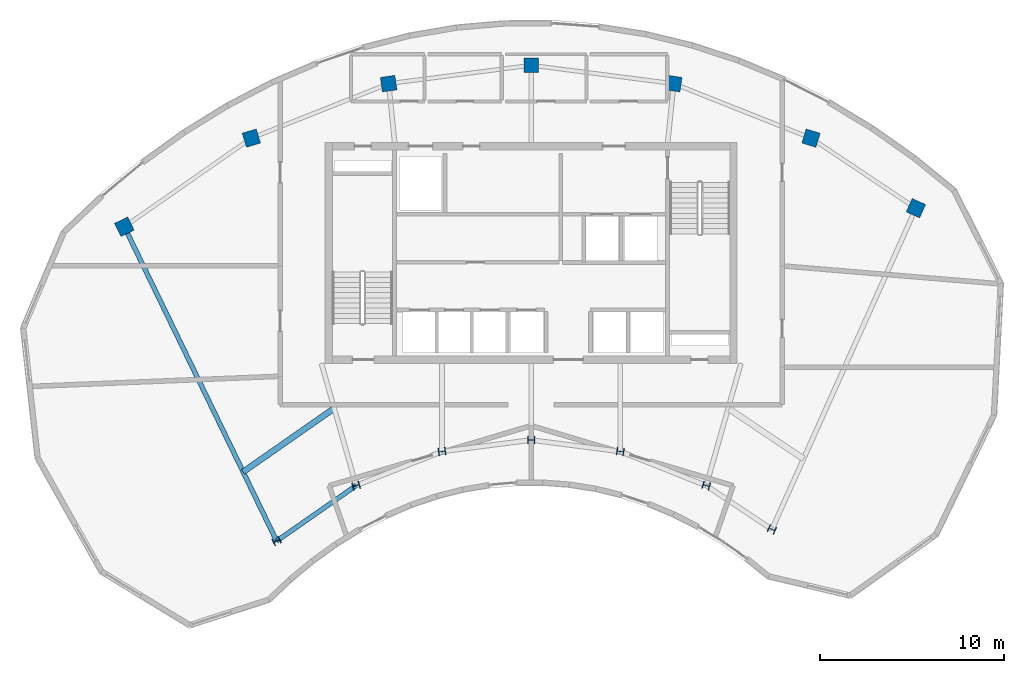
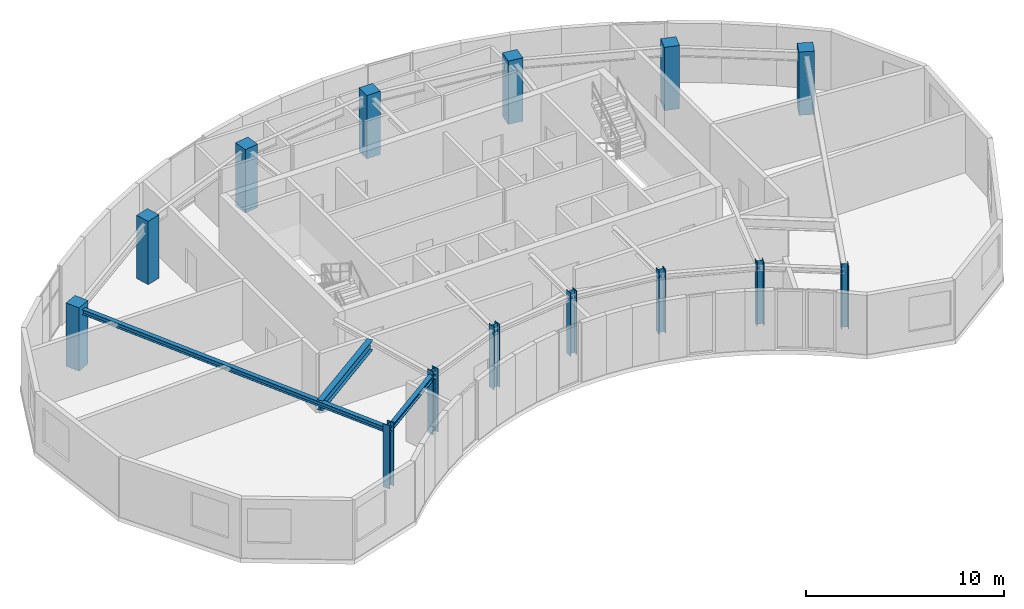
# One storey, part 1 of 9: 14 columns, 3 beams.
"""IFC4 building model written with IfcOpenShell, lengths in metres."""

from ifc_helpers import new_model, si_unit, direction, frame, origin, origin_2d, place, context, subcontext, project, spatial, rectangle, i_section, extrude, source, transform, mapped, material, material_profile, profile_set, type_object, type_shapes, element, save


model = new_model("IFC4")

# Units and contexts
model_context = context("Model", 3, precision=1e-05, world=origin(), true_north=direction((0.0, 1.0)))
body_context = subcontext(model_context, "Body", "Model", "MODEL_VIEW")
ifc_project = project(units=[si_unit("LENGTHUNIT", "METRE"), si_unit("AREAUNIT", "SQUARE_METRE"), si_unit("VOLUMEUNIT", "CUBIC_METRE"), si_unit("PLANEANGLEUNIT", "RADIAN"), si_unit("MASSUNIT", "GRAM", prefix="KILO")], contexts=[model_context])

# Site, building, storey
site_placement = place(None, origin())
site = spatial("IfcSite", under=ifc_project, at=site_placement, CompositionType="ELEMENT")
building_placement = place(site_placement, origin())
building = spatial("IfcBuilding", under=site, at=building_placement, Name="Breltana Convention Tower", CompositionType="ELEMENT")
storey_placement = place(building_placement, frame((0.0, 0.0, 291.300048828125)))
storey = spatial("IfcBuildingStorey", under=building, at=storey_placement, Name="L71", CompositionType="ELEMENT", Elevation=291.300048828125)

# Columns
ifc_material_1 = material(Name="Steel ASTM A992 Grade 50", Category="steel")
ifc_material_profile_1 = material_profile(ifc_material_1, i_section(OverallWidth=0.39892578125, OverallDepth=0.386962890625, WebThickness=0.02099609375, FlangeThickness=0.033203125, at=origin_2d()), Name="W14X176")
ifc_profile_set_1 = profile_set([ifc_material_profile_1], Name="Steel ASTM A992 Grade 50")
column_type_1 = type_object("IfcColumnType", Name="COL-STL-W14X176", PredefinedType="COLUMN", material=ifc_profile_set_1)
shared_shape_1 = source(origin(), body_context, "Body", "SweptSolid", [
    extrude(i_section(OverallWidth=0.39892578125, OverallDepth=0.386962890625, WebThickness=0.02099609375, FlangeThickness=0.033203125, at=origin_2d()), origin(), (0.0, 0.0, 1.0), 3.89990234375),
])
type_shapes(column_type_1, [shared_shape_1])
for number, where, z_axis, x_axis, name in (
    (1, (34.166259765625, 50.544921875, 0.0), (0.0, 0.0, 1.0), (-0.436173672171, 0.899862504889, 0.0), "L71 Tower Column R03-IN"),
    (2, (38.485107421875, 53.5576171875, 0.0), (0.0, 0.0, 1.0), (-0.288697611798, 0.957420330337, 0.0), "L71 Tower Column R04-IN"),
    (3, (43.153564453125, 55.41064453125, 0.0), (0.0, 0.0, 1.0), (-0.143492621991, 0.98965138682, 0.0), "L71 Tower Column R05-IN"),
    (4, (48.0, 56.035888671875, 0.0), (0.0, 0.0, 1.0), (0.0, 1.0, 0.0), "L71 Tower Column R06-IN"),
    (5, (52.846435546875, 55.41064453125, 0.0), (0.0, 0.0, 1.0), (0.143492621991, 0.98965138682, 0.0), "L71 Tower Column R07-IN"),
    (6, (57.514892578125, 53.5576171875, 0.0), (0.0, 0.0, 1.0), (0.288697611798, 0.957420330337, 0.0), "L71 Tower Column R08-IN"),
    (7, (61.08203125, 51.174560546875, 0.0), (0.0, 0.0, 1.0), (0.409126902895, 0.912477494148, 0.0), "L71 Tower Column R09-IN"),
):
    element("IfcColumn", number, at=place(storey_placement, frame(where, z_axis=z_axis, x_axis=x_axis)), inside=storey, type_object=column_type_1, Name=name, PredefinedType="COLUMN", context=body_context, shape_type="MappedRepresentation", body=[
        mapped(shared_shape_1, transform((0.0, 0.0, 0.0), scale=1.0)),
    ])
ifc_material_2 = material(Name="Concrete C50/60", Category="concrete")
ifc_material_profile_2 = material_profile(ifc_material_2, rectangle(XDim=0.800048828125, YDim=0.800048828125, at=origin_2d()), Name="RC-COL-800X800")
ifc_profile_set_2 = profile_set([ifc_material_profile_2], Name="Concrete C50/60")
column_type_2 = type_object("IfcColumnType", Name="COL-RC-800", PredefinedType="COLUMN", material=ifc_profile_set_2)
shared_shape_2 = source(origin(), body_context, "Body", "SweptSolid", [
    extrude(rectangle(XDim=0.800048828125, YDim=0.800048828125, at=origin_2d()), origin(), (0.0, 0.0, 1.0), 3.89990234375),
])
for number, where, z_axis, x_axis, name in (
    (8, (25.8876953125, 67.626953125, 0.0), (0.0, 0.0, 1.0), (-0.436173672171, 0.899862504889, 0.0), "L71 Tower Column R03-OUT"),
    (9, (32.791015625, 72.4423828125, 0.0), (0.0, 0.0, 1.0), (-0.288697611798, 0.957420330337, 0.0), "L71 Tower Column R04-OUT"),
    (10, (40.253173828125, 75.404296875, 0.0), (0.0, 0.0, 1.0), (-0.143492621991, 0.98965138682, 0.0), "L71 Tower Column R05-OUT"),
    (11, (48.0, 76.404052734375, 0.0), (0.0, 0.0, 1.0), (0.0, 1.0, 0.0), "L71 Tower Column R06-OUT"),
    (12, (55.746826171875, 75.404296875, 0.0), (0.0, 0.0, 1.0), (0.143492621991, 0.98965138682, 0.0), "L71 Tower Column R07-OUT"),
    (13, (63.208984375, 72.4423828125, 0.0), (0.0, 0.0, 1.0), (0.288697611798, 0.957420330337, 0.0), "L71 Tower Column R08-OUT"),
    (14, (68.910400390625, 68.63330078125, 0.0), (0.0, 0.0, 1.0), (0.409126902895, 0.912477494148, 0.0), "L71 Tower Column R09-OUT"),
):
    element("IfcColumn", number, at=place(storey_placement, frame(where, z_axis=z_axis, x_axis=x_axis)), inside=storey, type_object=column_type_2, Name=name, PredefinedType="COLUMN", context=body_context, shape_type="MappedRepresentation", body=[
        mapped(shared_shape_2, transform((0.0, 0.0, 0.0), scale=1.0)),
    ])

# Beams
ifc_material_profile_3 = material_profile(ifc_material_1, i_section(OverallWidth=0.323974609375, OverallDepth=0.611083984375, WebThickness=0.0126953125, FlangeThickness=0.01904296875, at=origin_2d()), Name="W24X104")
ifc_profile_set_3 = profile_set([ifc_material_profile_3], Name="Steel ASTM A992 Grade 50")
beam_type_1 = type_object("IfcBeamType", Name="BM-JSG-01", PredefinedType="JOIST", material=ifc_profile_set_3)
shared_shape_3 = source(origin(), body_context, "Body", "SweptSolid", [
    extrude(i_section(OverallWidth=0.323974609375, OverallDepth=0.611083984375, WebThickness=0.0126953125, FlangeThickness=0.01904296875, at=origin_2d()), origin(), (0.0, 0.0, 1.0), 5.959228515625),
])
beam_1_placement = place(storey_placement, frame((32.344970703125, 54.302978515625, 3.33447265625), z_axis=(0.820160485262, 0.572133531979, 0.0), x_axis=(-0.572133531979, 0.820160485262, 0.0)))
element("IfcBeam", 15, at=beam_1_placement, inside=storey, type_object=beam_type_1, Name="L71 Composite Floor Joist 03.1", PredefinedType="JOIST", context=body_context, shape_type="MappedRepresentation", body=[
    mapped(shared_shape_3, transform((0.0, 0.0, 0.0), scale=1.0)),
])
ifc_material_profile_4 = material_profile(ifc_material_1, i_section(OverallWidth=0.25390625, OverallDepth=0.305908203125, WebThickness=0.0087890625, FlangeThickness=0.0146484375, at=origin_2d()), Name="W12X53")
ifc_profile_set_4 = profile_set([ifc_material_profile_4], Name="Steel ASTM A992 Grade 50")
beam_type_2 = type_object("IfcBeamType", Name="BM-CN-W12X53", PredefinedType="BEAM", material=ifc_profile_set_4)
shared_shape_4 = source(origin(), body_context, "Body", "SweptSolid", [
    extrude(i_section(OverallWidth=0.25390625, OverallDepth=0.305908203125, WebThickness=0.0087890625, FlangeThickness=0.0146484375, at=origin_2d()), origin(), (0.0, 0.0, 1.0), 18.982421875),
])
beam_2_placement = place(storey_placement, frame((34.166259765625, 50.544921875, 3.487060546875), z_axis=(-0.436118560343, 0.89988921614, 0.0), x_axis=(-0.89988921614, -0.436118560343, 0.0)))
element("IfcBeam", 16, at=beam_2_placement, inside=storey, type_object=beam_type_2, Name="L71 Radial Floor Girder R03", PredefinedType="BEAM", context=body_context, shape_type="MappedRepresentation", body=[
    mapped(shared_shape_4, transform((0.0, 0.0, 0.0), scale=1.0)),
])
shared_shape_5 = source(origin(), body_context, "Body", "SweptSolid", [
    extrude(i_section(OverallWidth=0.25390625, OverallDepth=0.305908203125, WebThickness=0.0087890625, FlangeThickness=0.0146484375, at=origin_2d()), origin(), (0.0, 0.0, 1.0), 5.265869140625),
])
beam_3_placement = place(storey_placement, frame((34.166259765625, 50.544921875, 3.487060546875), z_axis=(0.820167429517, 0.572123577176, 0.0), x_axis=(-0.572123577176, 0.820167429517, 0.0)))
element("IfcBeam", 17, at=beam_3_placement, inside=storey, type_object=beam_type_2, Name="L71 Inner Ring Beam 03", PredefinedType="BEAM", context=body_context, shape_type="MappedRepresentation", body=[
    mapped(shared_shape_5, transform((0.0, 0.0, 0.0), scale=1.0)),
])

save(model, "model.ifc")
